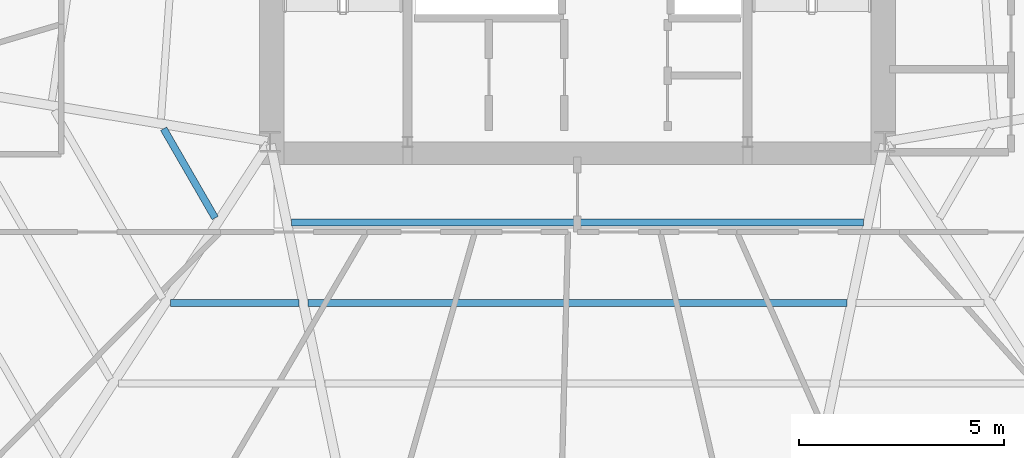
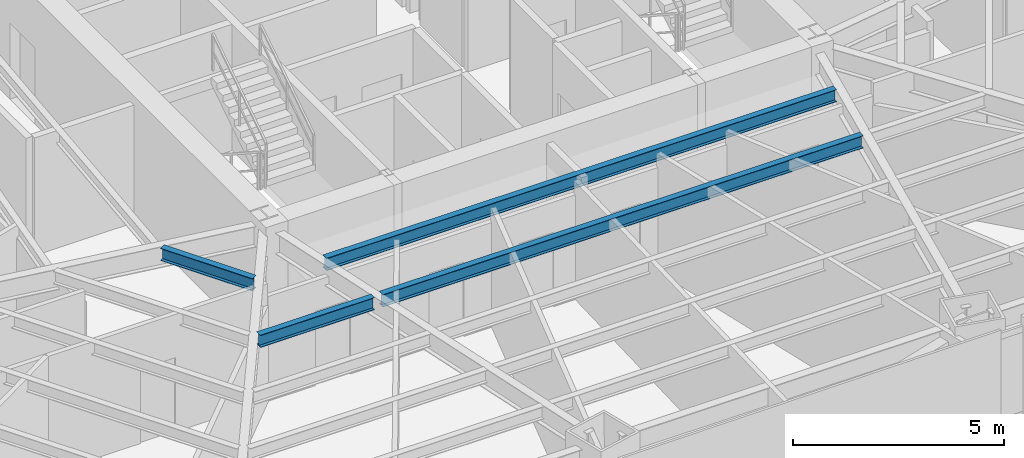
# One storey, part 10 of 36: 4 beams.
"""IFC4 building model written with IfcOpenShell, lengths in metres."""

from ifc_helpers import new_model, si_unit, direction, frame, origin, origin_2d, place, context, subcontext, project, spatial, i_section, extrude, source, transform, mapped, material, material_profile, profile_set, type_object, type_shapes, element, save


model = new_model("IFC4")

# Units and contexts
model_context = context("Model", 3, precision=1e-05, world=origin(), true_north=direction((0.0, 1.0)))
body_context = subcontext(model_context, "Body", "Model", "MODEL_VIEW")
ifc_project = project(units=[si_unit("LENGTHUNIT", "METRE"), si_unit("AREAUNIT", "SQUARE_METRE"), si_unit("VOLUMEUNIT", "CUBIC_METRE"), si_unit("PLANEANGLEUNIT", "RADIAN"), si_unit("MASSUNIT", "GRAM", prefix="KILO")], contexts=[model_context])

# Site, building, storey
site_placement = place(None, origin())
site = spatial("IfcSite", under=ifc_project, at=site_placement, CompositionType="ELEMENT")
building_placement = place(site_placement, origin())
building = spatial("IfcBuilding", under=site, at=building_placement, Name="Caelisora Broadcast Tower", CompositionType="ELEMENT")
storey_placement = place(building_placement, frame((0.0, 0.0, 64.10009765625)))
storey = spatial("IfcBuildingStorey", under=building, at=storey_placement, Name="L16", CompositionType="ELEMENT", Elevation=64.10009765625)

# Beams
ifc_material = material(Name="Steel Grade 350 (AS/NZS 3679.1)", Category="steel")
ifc_material_profile = material_profile(ifc_material, i_section(OverallWidth=0.172119140625, OverallDepth=0.358642578125, WebThickness=0.008056640625, FlangeThickness=0.012939453125, at=origin_2d()), Name="Steel Grade 350 (AS/NZS 3679.1)")
ifc_profile_set = profile_set([ifc_material_profile], Name="Steel Grade 350 (AS/NZS 3679.1)")
beam_type = type_object("IfcBeamType", Name="SB02", PredefinedType="JOIST", material=ifc_profile_set)
shared_shape_1 = source(origin(), body_context, "Body", "SweptSolid", [
    extrude(i_section(OverallWidth=0.172119140625, OverallDepth=0.358642578125, WebThickness=0.008056640625, FlangeThickness=0.012939453125, at=origin_2d()), origin(), (0.0, 0.0, 1.0), 2.5146484375),
])
beam_1_placement = place(storey_placement, frame((27.9013671875, 17.718505859375, 3.220703125), z_axis=(0.500002592159, -0.866023907196, 0.0), x_axis=(0.866023907196, 0.500002592159, 0.0)))
element("IfcBeam", 1, at=beam_1_placement, inside=storey, type_object=beam_type, Name="L16 beam SB02", PredefinedType="JOIST", context=body_context, shape_type="MappedRepresentation", body=[
    mapped(shared_shape_1, transform((0.0, 0.0, 0.0), scale=1.0)),
])
shared_shape_2 = source(origin(), body_context, "Body", "SweptSolid", [
    extrude(i_section(OverallWidth=0.172119140625, OverallDepth=0.358642578125, WebThickness=0.008056640625, FlangeThickness=0.012939453125, at=origin_2d()), origin(), (0.0, 0.0, 1.0), 3.12548828125),
])
beam_2_placement = place(storey_placement, frame((28.0751953125, 13.465087890625, 3.220703125), z_axis=(1.0, 0.0, 0.0), x_axis=(0.0, 1.0, 0.0)))
element("IfcBeam", 2, at=beam_2_placement, inside=storey, type_object=beam_type, Name="L16 beam SB02", PredefinedType="JOIST", context=body_context, shape_type="MappedRepresentation", body=[
    mapped(shared_shape_2, transform((0.0, 0.0, 0.0), scale=1.0)),
])
shared_shape_3 = source(origin(), body_context, "Body", "SweptSolid", [
    extrude(i_section(OverallWidth=0.172119140625, OverallDepth=0.358642578125, WebThickness=0.008056640625, FlangeThickness=0.012939453125, at=origin_2d()), origin(), (0.0, 0.0, 1.0), 13.958984375),
])
beam_3_placement = place(storey_placement, frame((31.0205078125, 15.4326171875, 3.220703125), z_axis=(1.0, 0.0, 0.0), x_axis=(0.0, 1.0, 0.0)))
element("IfcBeam", 3, at=beam_3_placement, inside=storey, type_object=beam_type, Name="L16 beam SB02", PredefinedType="JOIST", context=body_context, shape_type="MappedRepresentation", body=[
    mapped(shared_shape_3, transform((0.0, 0.0, 0.0), scale=1.0)),
])
shared_shape_4 = source(origin(), body_context, "Body", "SweptSolid", [
    extrude(i_section(OverallWidth=0.172119140625, OverallDepth=0.358642578125, WebThickness=0.008056640625, FlangeThickness=0.012939453125, at=origin_2d()), origin(), (0.0, 0.0, 1.0), 13.14501953125),
])
type_shapes(beam_type, [shared_shape_1, shared_shape_2, shared_shape_3, shared_shape_4])
beam_4_placement = place(storey_placement, frame((31.427490234375, 13.465087890625, 3.220703125), z_axis=(1.0, 0.0, 0.0), x_axis=(0.0, 1.0, 0.0)))
element("IfcBeam", 4, at=beam_4_placement, inside=storey, type_object=beam_type, Name="L16 beam SB02", PredefinedType="JOIST", context=body_context, shape_type="MappedRepresentation", body=[
    mapped(shared_shape_4, transform((0.0, 0.0, 0.0), scale=1.0)),
])

save(model, "model.ifc")
